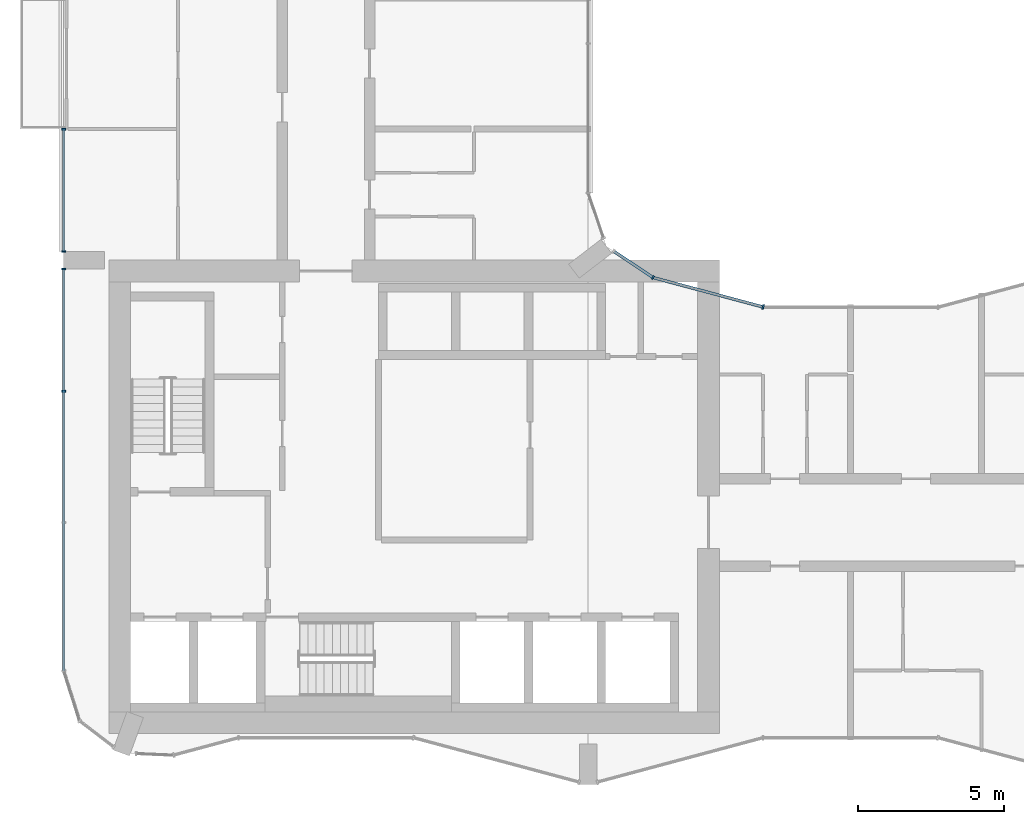
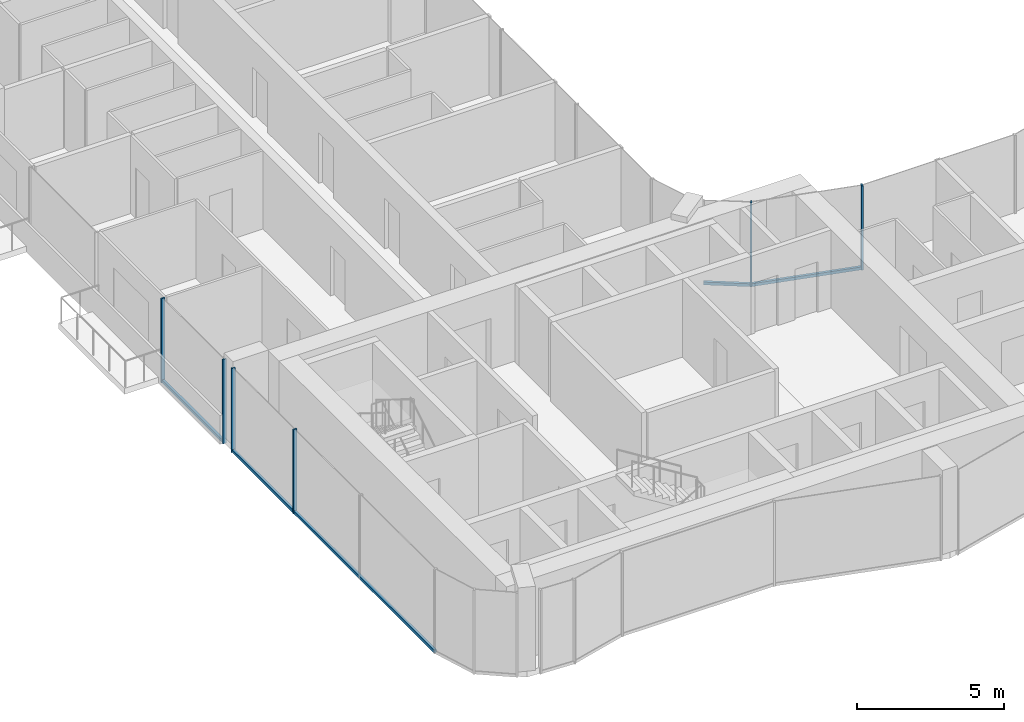
# One storey, part 3 of 24: 10 members, 4 elements without a shape of their own.
"""IFC4 building model written with IfcOpenShell, lengths in metres."""

from ifc_helpers import new_model, si_unit, direction, frame, origin, origin_2d, place, context, subcontext, project, spatial, rectangle, extrude, material, layer, layer_set, material_profile, profile_set, type_object, element, aggregate, save


model = new_model("IFC4")

# Units and contexts
model_context = context("Model", 3, precision=1e-05, world=origin(), true_north=direction((0.0, 1.0)))
body_context = subcontext(model_context, "Body", "Model", "MODEL_VIEW")
ifc_project = project(units=[si_unit("LENGTHUNIT", "METRE"), si_unit("AREAUNIT", "SQUARE_METRE"), si_unit("VOLUMEUNIT", "CUBIC_METRE"), si_unit("PLANEANGLEUNIT", "RADIAN"), si_unit("MASSUNIT", "GRAM", prefix="KILO")], contexts=[model_context])

# Site, building, storey
site_placement = place(None, origin())
site = spatial("IfcSite", under=ifc_project, at=site_placement, CompositionType="ELEMENT")
building_placement = place(site_placement, origin())
building = spatial("IfcBuilding", under=site, at=building_placement, Name="Plateau Cross Towers", CompositionType="ELEMENT")
storey_placement = place(building_placement, frame((0.0, 0.0, 51.300048828125)))
storey = spatial("IfcBuildingStorey", under=building, at=storey_placement, Name="L12", CompositionType="ELEMENT", Elevation=51.300048828125)

# Curtain wall, member
ifc_material_1 = material(Name="Dark low-iron glass", Category="glass")
ifc_layer_1 = layer(ifc_material_1, 0.239990234375)
ifc_layer_set_1 = layer_set([ifc_layer_1], Name="Dark low-iron glass")
curtain_wall_type_1 = type_object("IfcCurtainWallType", Name="Curtain wall flush unitised CW-B", PredefinedType="NOTDEFINED", material=ifc_layer_set_1)
curtain_wall_1_placement = place(storey_placement, origin())
curtain_wall_1 = element("IfcCurtainWall", 1, at=curtain_wall_1_placement, inside=storey, type_object=curtain_wall_type_1, Name="ENV/A/L12/A202_174", PredefinedType="NOTDEFINED")
ifc_material_2 = material(Name="Black anodised aluminium", Category="aluminium")
ifc_material_profile_1 = material_profile(ifc_material_2, rectangle(XDim=0.06005859375, YDim=0.139892578125, at=origin_2d()), Name="MULLION 60x140")
ifc_profile_set_1 = profile_set([ifc_material_profile_1], Name="Black anodised aluminium")
member_type_1 = type_object("IfcMemberType", Name="Mullion 60x140 flush unitised", PredefinedType="MULLION", material=ifc_profile_set_1)
member_1_placement = place(storey_placement, frame((20.223876953125, 17.404296875, -0.25), z_axis=(0.0, 0.0, 1.0), x_axis=(-0.831521253329, 0.555492938984, 0.0)))
member_1 = element("IfcMember", 2, at=member_1_placement, type_object=member_type_1, Name="CW-B mullion 1", PredefinedType="MULLION", context=body_context, shape_type="SweptSolid", body=[
    extrude(rectangle(XDim=0.06005859375, YDim=0.139892578125, at=origin_2d()), origin(), (0.0, 0.0, 1.0), 3.5),
])

# Curtain wall, members
curtain_wall_2_placement = place(storey_placement, origin())
curtain_wall_2 = element("IfcCurtainWall", 3, at=curtain_wall_2_placement, inside=storey, type_object=curtain_wall_type_1, Name="ENV/A/L12/A0_225", PredefinedType="NOTDEFINED")
member_2_placement = place(storey_placement, frame((0.0, 22.489990234375, -0.25), z_axis=(0.0, 0.0, 1.0), x_axis=(0.0, -1.0, 0.0)))
member_2 = element("IfcMember", 4, at=member_2_placement, type_object=member_type_1, Name="CW-B mullion 1", PredefinedType="MULLION", context=body_context, shape_type="SweptSolid", body=[
    extrude(rectangle(XDim=0.06005859375, YDim=0.139892578125, at=origin_2d()), origin(), (0.0, 0.0, 1.0), 3.5),
])
member_3_placement = place(storey_placement, frame((0.0, 18.300048828125, -0.25), z_axis=(0.0, 0.0, 1.0), x_axis=(0.0, -1.0, 0.0)))
member_3 = element("IfcMember", 5, at=member_3_placement, type_object=member_type_1, Name="CW-B mullion 2", PredefinedType="MULLION", context=body_context, shape_type="SweptSolid", body=[
    extrude(rectangle(XDim=0.06005859375, YDim=0.139892578125, at=origin_2d()), origin(), (0.0, 0.0, 1.0), 3.5),
])

curtain_wall_3_placement = place(storey_placement, origin())
curtain_wall_3 = element("IfcCurtainWall", 6, at=curtain_wall_3_placement, inside=storey, type_object=curtain_wall_type_1, Name="ENV/A/L12/A0_177", PredefinedType="NOTDEFINED")
member_4_placement = place(storey_placement, frame((0.0, 17.699951171875, -0.25), z_axis=(0.0, 0.0, 1.0), x_axis=(0.0, -1.0, 0.0)))
member_4 = element("IfcMember", 7, at=member_4_placement, type_object=member_type_1, Name="CW-B mullion 1", PredefinedType="MULLION", context=body_context, shape_type="SweptSolid", body=[
    extrude(rectangle(XDim=0.06005859375, YDim=0.139892578125, at=origin_2d()), origin(), (0.0, 0.0, 1.0), 3.5),
])
member_5_placement = place(storey_placement, frame((0.0, 13.5, -0.25), z_axis=(0.0, 0.0, 1.0), x_axis=(0.0, -1.0, 0.0)))
member_5 = element("IfcMember", 8, at=member_5_placement, type_object=member_type_1, Name="CW-B mullion 2", PredefinedType="MULLION", context=body_context, shape_type="SweptSolid", body=[
    extrude(rectangle(XDim=0.06005859375, YDim=0.139892578125, at=origin_2d()), origin(), (0.0, 0.0, 1.0), 3.5),
])

# Curtain wall, member
ifc_layer_2 = layer(ifc_material_1, 0.260009765625)
ifc_layer_set_2 = layer_set([ifc_layer_2], Name="Dark low-iron glass")
curtain_wall_type_2 = type_object("IfcCurtainWallType", Name="Curtain wall fluted unitised CW-A", PredefinedType="NOTDEFINED", material=ifc_layer_set_2)
curtain_wall_4_placement = place(storey_placement, origin())
curtain_wall_4 = element("IfcCurtainWall", 9, at=curtain_wall_4_placement, inside=storey, type_object=curtain_wall_type_2, Name="ENV/A/L12/A240_164", PredefinedType="NOTDEFINED")
ifc_material_profile_2 = material_profile(ifc_material_2, rectangle(XDim=0.06005859375, YDim=0.159912109375, at=origin_2d()), Name="MULLION 60x160")
ifc_profile_set_2 = profile_set([ifc_material_profile_2], Name="Black anodised aluminium")
member_type_2 = type_object("IfcMemberType", Name="Mullion 60x160 fluted unitised", PredefinedType="MULLION", material=ifc_profile_set_2)
member_6_placement = place(storey_placement, frame((24.0, 16.39306640625, -0.25), z_axis=(0.0, 0.0, 1.0), x_axis=(-0.965957995816, 0.258698956933, 0.0)))
member_6 = element("IfcMember", 10, at=member_6_placement, type_object=member_type_2, Name="CW-A mullion 1", PredefinedType="MULLION", context=body_context, shape_type="SweptSolid", body=[
    extrude(rectangle(XDim=0.06005859375, YDim=0.159912109375, at=origin_2d()), origin(), (0.0, 0.0, 1.0), 3.5),
])

# Member
ifc_material_profile_3 = material_profile(ifc_material_2, rectangle(XDim=0.10009765625, YDim=0.1201171875, at=origin_2d()), Name="TRANSOM 100x120")
ifc_profile_set_3 = profile_set([ifc_material_profile_3], Name="Black anodised aluminium")
member_type_3 = type_object("IfcMemberType", Name="Transom 100x120 flush unitised", PredefinedType="USERDEFINED", material=ifc_profile_set_3)
member_7_placement = place(storey_placement, frame((20.223876953125, 17.404296875, -0.18994140625), z_axis=(-0.831496402487, 0.555530136582, 0.0), x_axis=(-0.555530136582, -0.831496402487, 0.0)))
member_7 = element("IfcMember", 11, at=member_7_placement, type_object=member_type_3, Name="CW-B transom", ObjectType="TRANSOM", PredefinedType="USERDEFINED", context=body_context, shape_type="SweptSolid", body=[
    extrude(rectangle(XDim=0.10009765625, YDim=0.1201171875, at=origin_2d()), origin(), (0.0, 0.0, 1.0), 1.628662109375),
])

aggregate(curtain_wall_1, [member_1, member_7])

member_8_placement = place(storey_placement, frame((0.0, 22.489990234375, -0.18994140625), z_axis=(0.0, -1.0, 0.0), x_axis=(1.0, 0.0, 0.0)))
member_8 = element("IfcMember", 12, at=member_8_placement, type_object=member_type_3, Name="CW-B transom", ObjectType="TRANSOM", PredefinedType="USERDEFINED", context=body_context, shape_type="SweptSolid", body=[
    extrude(rectangle(XDim=0.10009765625, YDim=0.1201171875, at=origin_2d()), origin(), (0.0, 0.0, 1.0), 4.18994140625),
])

aggregate(curtain_wall_2, [member_2, member_3, member_8])

member_9_placement = place(storey_placement, frame((0.0, 17.699951171875, -0.18994140625), z_axis=(0.0, -1.0, 0.0), x_axis=(1.0, 0.0, 0.0)))
member_9 = element("IfcMember", 13, at=member_9_placement, type_object=member_type_3, Name="CW-B transom", ObjectType="TRANSOM", PredefinedType="USERDEFINED", context=body_context, shape_type="SweptSolid", body=[
    extrude(rectangle(XDim=0.10009765625, YDim=0.1201171875, at=origin_2d()), origin(), (0.0, 0.0, 1.0), 13.790771484375),
])

aggregate(curtain_wall_3, [member_4, member_5, member_9])

ifc_material_profile_4 = material_profile(ifc_material_2, rectangle(XDim=0.10009765625, YDim=0.1201171875, at=origin_2d()), Name="TRANSOM 100x120")
ifc_profile_set_4 = profile_set([ifc_material_profile_4], Name="Black anodised aluminium")
member_type_4 = type_object("IfcMemberType", Name="Transom 100x120 fluted unitised", PredefinedType="USERDEFINED", material=ifc_profile_set_4)
member_10_placement = place(storey_placement, frame((24.0, 16.39306640625, -0.18994140625), z_axis=(-0.965962822393, 0.25868093427, 0.0), x_axis=(-0.25868093427, -0.965962822393, 0.0)))
member_10 = element("IfcMember", 14, at=member_10_placement, type_object=member_type_4, Name="CW-A transom", ObjectType="TRANSOM", PredefinedType="USERDEFINED", context=body_context, shape_type="SweptSolid", body=[
    extrude(rectangle(XDim=0.10009765625, YDim=0.1201171875, at=origin_2d()), origin(), (0.0, 0.0, 1.0), 3.9091796875),
])

aggregate(curtain_wall_4, [member_6, member_10])

save(model, "model.ifc")
